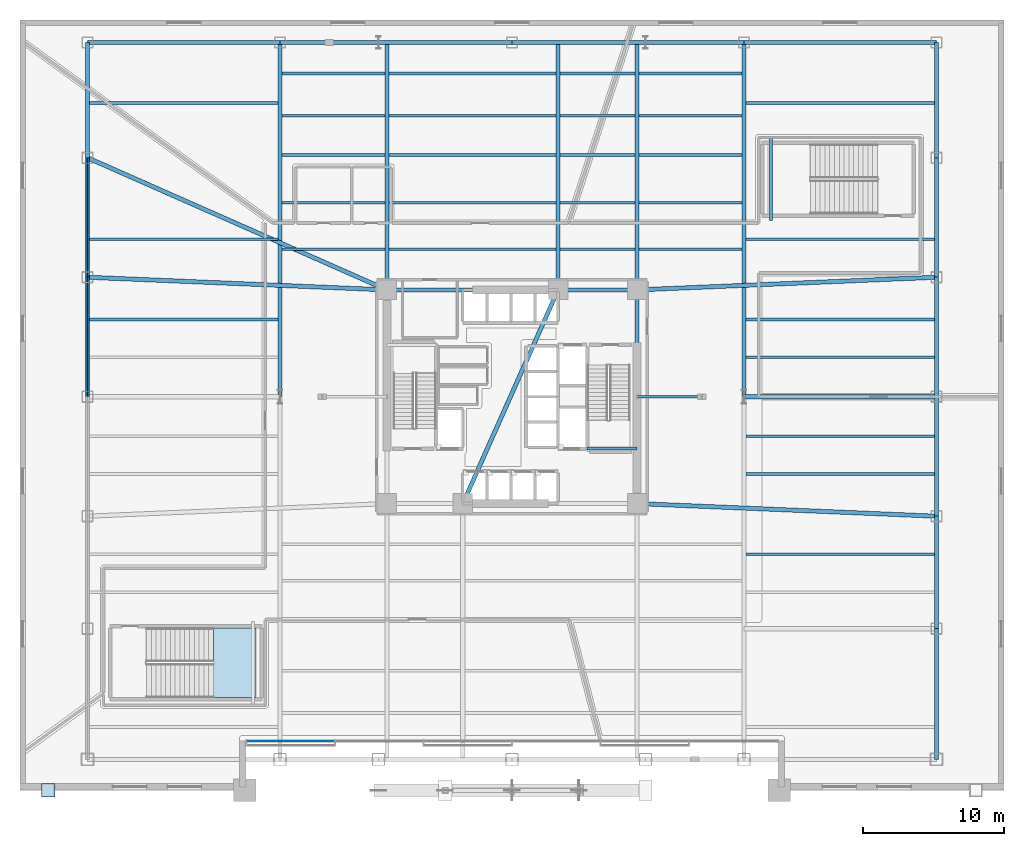
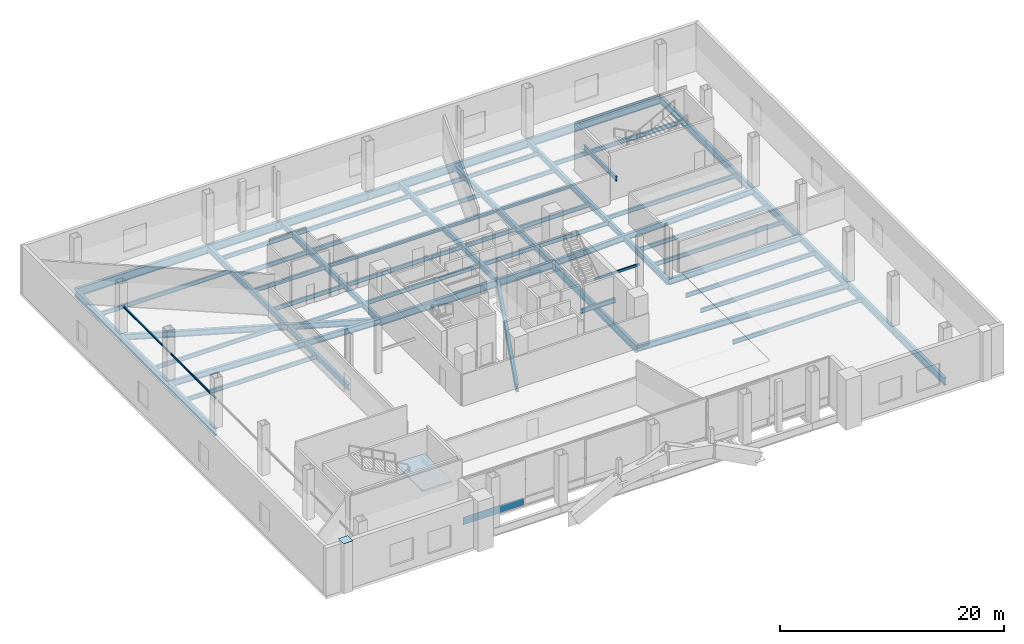
# One storey, part 5 of 19: 62 beams, 2 members, 2 plates, 1 slab, 2 elements without a shape of their own.
"""IFC4 building model written with IfcOpenShell, lengths in metres."""

from ifc_helpers import new_model, si_unit, direction, frame, origin, origin_2d, place, context, subcontext, project, spatial, polyline, rectangle, hollow_rectangle, i_section, outline, extrude, material, layer, layer_set, material_profile, profile_set, type_object, element, aggregate, save


model = new_model("IFC4")

# Units and contexts
model_context = context("Model", 3, precision=1e-05, world=origin(), true_north=direction((0.0, 1.0)))
body_context = subcontext(model_context, "Body", "Model", "MODEL_VIEW")
ifc_project = project(units=[si_unit("LENGTHUNIT", "METRE"), si_unit("AREAUNIT", "SQUARE_METRE"), si_unit("VOLUMEUNIT", "CUBIC_METRE"), si_unit("PLANEANGLEUNIT", "RADIAN"), si_unit("MASSUNIT", "GRAM", prefix="KILO")], contexts=[model_context])

# Site, building, storey
site_placement = place(None, origin())
site = spatial("IfcSite", under=ifc_project, at=site_placement, CompositionType="ELEMENT")
building_placement = place(site_placement, origin())
building = spatial("IfcBuilding", under=site, at=building_placement, Name="Tharavind Bronze Gate", CompositionType="ELEMENT")
storey_placement = place(building_placement, frame((0.0, 0.0, 11.0)))
storey = spatial("IfcBuildingStorey", under=building, at=storey_placement, Name="L02", CompositionType="ELEMENT", Elevation=11.0)

# Beams
ifc_material_1 = material(Name="Steel S355", Category="steel")
ifc_material_profile_1 = material_profile(ifc_material_1, hollow_rectangle(XDim=0.14990234375, YDim=0.25, WallThickness=0.011962890625, at=origin_2d()), Name="RHS250X150X12")
ifc_profile_set_1 = profile_set([ifc_material_profile_1], Name="Steel S355")
beam_type_1 = type_object("IfcBeamType", Name="OPENING LINTEL BEAM RHS250", PredefinedType="LINTEL", material=ifc_profile_set_1)
beam_1_placement = place(storey_placement, frame((8.89990234375, 0.0, 2.324951171875), z_axis=(1.0, 0.0, 0.0), x_axis=(0.0, 1.0, 0.0)))
element("IfcBeam", 1, at=beam_1_placement, inside=storey, type_object=beam_type_1, Name="L02 opening lintel beam rhs250 BM-L02-LNT2", PredefinedType="LINTEL", context=body_context, shape_type="SweptSolid", body=[
    extrude(hollow_rectangle(XDim=0.14990234375, YDim=0.25, WallThickness=0.011962890625, at=origin_2d()), origin(), (0.0, 0.0, 1.0), 4.60009765625),
])
ifc_material_profile_2 = material_profile(ifc_material_1, i_section(OverallWidth=0.300048828125, OverallDepth=0.64990234375, WebThickness=0.01611328125, FlangeThickness=0.031005859375, at=origin_2d()), Name="HE650B")
ifc_profile_set_2 = profile_set([ifc_material_profile_2], Name="Steel S355")
beam_type_2 = type_object("IfcBeamType", Name="PRIMARY GIRDER HE650B", PredefinedType="USERDEFINED", material=ifc_profile_set_2)
for number, where, z_axis, x_axis, name in (
    (2, (-16.5, 0.0, -0.60498046875), (0.0, 1.0, 0.0), (-1.0, 0.0, 0.0), "L02 primary girder he650b BM-L02-GS1N"),
    (3, (16.5, 0.0, -0.60498046875), (0.0, 1.0, 0.0), (-1.0, 0.0, 0.0), "L02 primary girder he650b BM-L02-GS5N"),
):
    element("IfcBeam", number, at=place(storey_placement, frame(where, z_axis=z_axis, x_axis=x_axis)), inside=storey, type_object=beam_type_2, Name=name, ObjectType="GIRDER", PredefinedType="USERDEFINED", context=body_context, shape_type="SweptSolid", body=[
        extrude(i_section(OverallWidth=0.300048828125, OverallDepth=0.64990234375, WebThickness=0.01611328125, FlangeThickness=0.031005859375, at=origin_2d()), origin(), (0.0, 0.0, 1.0), 25.199951171875),
    ])
for number, where, z_axis, x_axis, name in (
    (4, (-8.89990234375, 25.199951171875, -0.60498046875), (0.0, -1.0, 0.0), (1.0, 0.0, 0.0), "L02 primary girder he650b BM-L02-GN2"),
    (5, (3.280029296875, 25.199951171875, -0.60498046875), (0.0, -1.0, 0.0), (1.0, 0.0, 0.0), "L02 primary girder he650b BM-L02-GN3"),
    (6, (8.89990234375, 25.199951171875, -0.60498046875), (0.0, -1.0, 0.0), (1.0, 0.0, 0.0), "L02 primary girder he650b BM-L02-GN4"),
):
    element("IfcBeam", number, at=place(storey_placement, frame(where, z_axis=z_axis, x_axis=x_axis)), inside=storey, type_object=beam_type_2, Name=name, ObjectType="GIRDER", PredefinedType="USERDEFINED", context=body_context, shape_type="SweptSolid", body=[
        extrude(i_section(OverallWidth=0.300048828125, OverallDepth=0.64990234375, WebThickness=0.01611328125, FlangeThickness=0.031005859375, at=origin_2d()), origin(), (0.0, 0.0, 1.0), 17.599853515625),
    ])
beam_2_placement = place(storey_placement, frame((-30.199951171875, 8.5, -0.60498046875), z_axis=(0.999108710794, -0.04221118354, 0.0), x_axis=(0.04221118354, 0.999108710794, 0.0)))
element("IfcBeam", 7, at=beam_2_placement, inside=storey, type_object=beam_type_2, Name="L02 primary girder he650b BM-L02-GW2", ObjectType="GIRDER", PredefinedType="USERDEFINED", context=body_context, shape_type="SweptSolid", body=[
    extrude(i_section(OverallWidth=0.300048828125, OverallDepth=0.64990234375, WebThickness=0.01611328125, FlangeThickness=0.031005859375, at=origin_2d()), origin(), (0.0, 0.0, 1.0), 21.319091796875),
])
beam_3_placement = place(storey_placement, frame((-30.199951171875, 17.0, -0.60498046875), z_axis=(0.914873033852, -0.403741664844, 0.0), x_axis=(0.403741664844, 0.914873033852, 0.0)))
element("IfcBeam", 8, at=beam_3_placement, inside=storey, type_object=beam_type_2, Name="L02 primary girder he650b BM-L02-GW4", ObjectType="GIRDER", PredefinedType="USERDEFINED", context=body_context, shape_type="SweptSolid", body=[
    extrude(i_section(OverallWidth=0.300048828125, OverallDepth=0.64990234375, WebThickness=0.01611328125, FlangeThickness=0.031005859375, at=origin_2d()), origin(), (0.0, 0.0, 1.0), 23.281982421875),
])
for number, where, z_axis, x_axis, name in (
    (9, (30.199951171875, -8.5, -0.60498046875), (-0.999108710794, 0.04221118354, 0.0), (-0.04221118354, -0.999108710794, 0.0), "L02 primary girder he650b BM-L02-GE1"),
    (10, (30.199951171875, 8.5, -0.60498046875), (-0.999108710794, -0.04221118354, 0.0), (0.04221118354, -0.999108710794, 0.0), "L02 primary girder he650b BM-L02-GE2"),
):
    element("IfcBeam", number, at=place(storey_placement, frame(where, z_axis=z_axis, x_axis=x_axis)), inside=storey, type_object=beam_type_2, Name=name, ObjectType="GIRDER", PredefinedType="USERDEFINED", context=body_context, shape_type="SweptSolid", body=[
        extrude(i_section(OverallWidth=0.300048828125, OverallDepth=0.64990234375, WebThickness=0.01611328125, FlangeThickness=0.031005859375, at=origin_2d()), origin(), (0.0, 0.0, 1.0), 21.319091796875),
    ])
beam_4_placement = place(storey_placement, frame((30.199951171875, 0.0, -0.60498046875), z_axis=(-1.0, 0.0, 0.0), x_axis=(0.0, -1.0, 0.0)))
element("IfcBeam", 11, at=beam_4_placement, inside=storey, type_object=beam_type_2, Name="L02 primary girder he650b BM-L02-GE3", ObjectType="GIRDER", PredefinedType="USERDEFINED", context=body_context, shape_type="SweptSolid", body=[
    extrude(i_section(OverallWidth=0.300048828125, OverallDepth=0.64990234375, WebThickness=0.01611328125, FlangeThickness=0.031005859375, at=origin_2d()), origin(), (0.0, 0.0, 1.0), 13.699951171875),
])
ifc_material_profile_3 = material_profile(ifc_material_1, i_section(OverallWidth=0.199951171875, OverallDepth=0.5, WebThickness=0.01025390625, FlangeThickness=0.01611328125, at=origin_2d()), Name="IPE500")
ifc_profile_set_3 = profile_set([ifc_material_profile_3], Name="Steel S355")
beam_type_3 = type_object("IfcBeamType", Name="PRIMARY GIRDER IPE500", PredefinedType="USERDEFINED", material=ifc_profile_set_3)
beam_5_placement = place(storey_placement, frame((5.35009765625, -3.679931640625, 2.300048828125), z_axis=(1.0, 0.0, 0.0), x_axis=(0.0, 1.0, 0.0)))
element("IfcBeam", 12, at=beam_5_placement, inside=storey, type_object=beam_type_3, Name="L02 primary girder ipe500 BM-LD-ST2-L02-1", ObjectType="GIRDER", PredefinedType="USERDEFINED", context=body_context, shape_type="SweptSolid", body=[
    extrude(i_section(OverallWidth=0.199951171875, OverallDepth=0.5, WebThickness=0.01025390625, FlangeThickness=0.01611328125, at=origin_2d()), origin(), (0.0, 0.0, 1.0), 3.5498046875),
])
beam_6_placement = place(storey_placement, frame((18.419921875, 12.550048828125, 2.300048828125), z_axis=(0.0, 1.0, 0.0), x_axis=(-1.0, 0.0, 0.0)))
element("IfcBeam", 13, at=beam_6_placement, inside=storey, type_object=beam_type_3, Name="L02 primary girder ipe500 BM-LD-ST4-L02-1", ObjectType="GIRDER", PredefinedType="USERDEFINED", context=body_context, shape_type="SweptSolid", body=[
    extrude(i_section(OverallWidth=0.199951171875, OverallDepth=0.5, WebThickness=0.01025390625, FlangeThickness=0.01611328125, at=origin_2d()), origin(), (0.0, 0.0, 1.0), 5.849853515625),
])
ifc_material_profile_4 = material_profile(ifc_material_1, i_section(OverallWidth=0.300048828125, OverallDepth=0.800048828125, WebThickness=0.017578125, FlangeThickness=0.032958984375, at=origin_2d()), Name="HE800B")
ifc_profile_set_4 = profile_set([ifc_material_profile_4], Name="Steel S355")
beam_type_4 = type_object("IfcBeamType", Name="RING GIRDER HE800B", PredefinedType="USERDEFINED", material=ifc_profile_set_4)
beam_7_placement = place(storey_placement, frame((8.89990234375, -7.60009765625, -0.679931640625), z_axis=(0.0, 1.0, 0.0), x_axis=(-1.0, 0.0, 0.0)))
element("IfcBeam", 14, at=beam_7_placement, inside=storey, type_object=beam_type_4, Name="L02 ring girder he800b BM-L02-CR3", ObjectType="GIRDER", PredefinedType="USERDEFINED", context=body_context, shape_type="SweptSolid", body=[
    extrude(i_section(OverallWidth=0.300048828125, OverallDepth=0.800048828125, WebThickness=0.017578125, FlangeThickness=0.032958984375, at=origin_2d()), origin(), (0.0, 0.0, 1.0), 15.2001953125),
])
beam_8_placement = place(storey_placement, frame((8.89990234375, 7.60009765625, -0.679931640625), z_axis=(-1.0, 0.0, 0.0), x_axis=(0.0, -1.0, 0.0)))
element("IfcBeam", 15, at=beam_8_placement, inside=storey, type_object=beam_type_4, Name="L02 ring girder he800b BM-L02-CR4", ObjectType="GIRDER", PredefinedType="USERDEFINED", context=body_context, shape_type="SweptSolid", body=[
    extrude(i_section(OverallWidth=0.300048828125, OverallDepth=0.800048828125, WebThickness=0.017578125, FlangeThickness=0.032958984375, at=origin_2d()), origin(), (0.0, 0.0, 1.0), 5.619873046875),
])
beam_9_placement = place(storey_placement, frame((3.280029296875, 7.60009765625, -0.679931640625), z_axis=(-1.0, 0.0, 0.0), x_axis=(0.0, -1.0, 0.0)))
element("IfcBeam", 16, at=beam_9_placement, inside=storey, type_object=beam_type_4, Name="L02 ring girder he800b BM-L02-CR5", ObjectType="GIRDER", PredefinedType="USERDEFINED", context=body_context, shape_type="SweptSolid", body=[
    extrude(i_section(OverallWidth=0.300048828125, OverallDepth=0.800048828125, WebThickness=0.017578125, FlangeThickness=0.032958984375, at=origin_2d()), origin(), (0.0, 0.0, 1.0), 12.179931640625),
])
beam_10_placement = place(storey_placement, frame((-3.5, -7.60009765625, -0.679931640625), z_axis=(0.407361644566, 0.913266932795, 0.0), x_axis=(-0.913266932795, 0.407361644566, 0.0)))
element("IfcBeam", 17, at=beam_10_placement, inside=storey, type_object=beam_type_4, Name="L02 ring girder he800b BM-L02-CR7", ObjectType="GIRDER", PredefinedType="USERDEFINED", context=body_context, shape_type="SweptSolid", body=[
    extrude(i_section(OverallWidth=0.300048828125, OverallDepth=0.800048828125, WebThickness=0.017578125, FlangeThickness=0.032958984375, at=origin_2d()), origin(), (0.0, 0.0, 1.0), 16.643798828125),
])
beam_11_placement = place(storey_placement, frame((30.199951171875, -25.800048828125, -0.679931640625), z_axis=(0.0, 1.0, 0.0), x_axis=(-1.0, 0.0, 0.0)))
element("IfcBeam", 18, at=beam_11_placement, inside=storey, type_object=beam_type_4, Name="L02 ring girder he800b BM-L02-PE1", ObjectType="GIRDER", PredefinedType="USERDEFINED", context=body_context, shape_type="SweptSolid", body=[
    extrude(i_section(OverallWidth=0.300048828125, OverallDepth=0.800048828125, WebThickness=0.017578125, FlangeThickness=0.032958984375, at=origin_2d()), origin(), (0.0, 0.0, 1.0), 9.300048828125),
])
beam_12_placement = place(storey_placement, frame((30.199951171875, -16.5, -0.679931640625), z_axis=(0.0, 1.0, 0.0), x_axis=(-1.0, 0.0, 0.0)))
element("IfcBeam", 19, at=beam_12_placement, inside=storey, type_object=beam_type_4, Name="L02 ring girder he800b BM-L02-PE2", ObjectType="GIRDER", PredefinedType="USERDEFINED", context=body_context, shape_type="SweptSolid", body=[
    extrude(i_section(OverallWidth=0.300048828125, OverallDepth=0.800048828125, WebThickness=0.017578125, FlangeThickness=0.032958984375, at=origin_2d()), origin(), (0.0, 0.0, 1.0), 8.0),
])
for number, where, z_axis, x_axis, name in (
    (20, (30.199951171875, -8.5, -0.679931640625), (0.0, 1.0, 0.0), (-1.0, 0.0, 0.0), "L02 ring girder he800b BM-L02-PE3"),
    (21, (-30.199951171875, 0.0, -0.679931640625), (0.0, 1.0, 0.0), (-1.0, 0.0, 0.0), "L02 ring girder he800b BM-L02-PW4"),
    (22, (30.199951171875, 0.0, -0.679931640625), (0.0, 1.0, 0.0), (-1.0, 0.0, 0.0), "L02 ring girder he800b BM-L02-PE4"),
    (23, (-30.199951171875, 8.5, -0.679931640625), (0.0, 1.0, 0.0), (-1.0, 0.0, 0.0), "L02 ring girder he800b BM-L02-PW5"),
    (24, (30.199951171875, 8.5, -0.679931640625), (0.0, 1.0, 0.0), (-1.0, 0.0, 0.0), "L02 ring girder he800b BM-L02-PE5"),
):
    element("IfcBeam", number, at=place(storey_placement, frame(where, z_axis=z_axis, x_axis=x_axis)), inside=storey, type_object=beam_type_4, Name=name, ObjectType="GIRDER", PredefinedType="USERDEFINED", context=body_context, shape_type="SweptSolid", body=[
        extrude(i_section(OverallWidth=0.300048828125, OverallDepth=0.800048828125, WebThickness=0.017578125, FlangeThickness=0.032958984375, at=origin_2d()), origin(), (0.0, 0.0, 1.0), 8.5),
    ])
for number, where, z_axis, x_axis, name in (
    (25, (-30.199951171875, 17.0, -0.679931640625), (0.0, 1.0, 0.0), (-1.0, 0.0, 0.0), "L02 ring girder he800b BM-L02-PW6"),
    (26, (30.199951171875, 17.0, -0.679931640625), (0.0, 1.0, 0.0), (-1.0, 0.0, 0.0), "L02 ring girder he800b BM-L02-PE6"),
):
    element("IfcBeam", number, at=place(storey_placement, frame(where, z_axis=z_axis, x_axis=x_axis)), inside=storey, type_object=beam_type_4, Name=name, ObjectType="GIRDER", PredefinedType="USERDEFINED", context=body_context, shape_type="SweptSolid", body=[
        extrude(i_section(OverallWidth=0.300048828125, OverallDepth=0.800048828125, WebThickness=0.017578125, FlangeThickness=0.032958984375, at=origin_2d()), origin(), (0.0, 0.0, 1.0), 8.199951171875),
    ])
ifc_material_profile_5 = material_profile(ifc_material_1, i_section(OverallWidth=0.18994140625, OverallDepth=0.449951171875, WebThickness=0.009521484375, FlangeThickness=0.0146484375, at=origin_2d()), Name="IPE450")
ifc_profile_set_5 = profile_set([ifc_material_profile_5], Name="Steel S355")
beam_type_5 = type_object("IfcBeamType", Name="SECONDARY FLOOR JOIST IPE450", PredefinedType="JOIST", material=ifc_profile_set_5)
beam_13_placement = place(storey_placement, frame((-8.748046875, 10.5, -0.5048828125), z_axis=(1.0, 0.0, 0.0), x_axis=(0.0, 1.0, 0.0)))
element("IfcBeam", 27, at=beam_13_placement, inside=storey, type_object=beam_type_5, Name="L02 secondary floor joist ipe450 BM-L02-JSN1A", PredefinedType="JOIST", context=body_context, shape_type="SweptSolid", body=[
    extrude(i_section(OverallWidth=0.18994140625, OverallDepth=0.449951171875, WebThickness=0.009521484375, FlangeThickness=0.0146484375, at=origin_2d()), origin(), (0.0, 0.0, 1.0), 11.8759765625),
])
beam_14_placement = place(storey_placement, frame((3.431884765625, 10.5, -0.5048828125), z_axis=(1.0, 0.0, 0.0), x_axis=(0.0, 1.0, 0.0)))
element("IfcBeam", 28, at=beam_14_placement, inside=storey, type_object=beam_type_5, Name="L02 secondary floor joist ipe450 BM-L02-JSN1B", PredefinedType="JOIST", context=body_context, shape_type="SweptSolid", body=[
    extrude(i_section(OverallWidth=0.18994140625, OverallDepth=0.449951171875, WebThickness=0.009521484375, FlangeThickness=0.0146484375, at=origin_2d()), origin(), (0.0, 0.0, 1.0), 5.316162109375),
])
for number, where, z_axis, x_axis, name in (
    (29, (-16.347900390625, 10.5, -0.5048828125), (1.0, 0.0, 0.0), (0.0, 1.0, 0.0), "L02 secondary floor joist ipe450 BM-L02-JSN1W"),
    (30, (9.052001953125, 10.5, -0.5048828125), (1.0, 0.0, 0.0), (0.0, 1.0, 0.0), "L02 secondary floor joist ipe450 BM-L02-JSN1E"),
):
    element("IfcBeam", number, at=place(storey_placement, frame(where, z_axis=z_axis, x_axis=x_axis)), inside=storey, type_object=beam_type_5, Name=name, PredefinedType="JOIST", context=body_context, shape_type="SweptSolid", body=[
        extrude(i_section(OverallWidth=0.18994140625, OverallDepth=0.449951171875, WebThickness=0.009521484375, FlangeThickness=0.0146484375, at=origin_2d()), origin(), (0.0, 0.0, 1.0), 7.2958984375),
    ])
beam_15_placement = place(storey_placement, frame((-8.748046875, 13.800048828125, -0.5048828125), z_axis=(1.0, 0.0, 0.0), x_axis=(0.0, 1.0, 0.0)))
element("IfcBeam", 31, at=beam_15_placement, inside=storey, type_object=beam_type_5, Name="L02 secondary floor joist ipe450 BM-L02-JSN2A", PredefinedType="JOIST", context=body_context, shape_type="SweptSolid", body=[
    extrude(i_section(OverallWidth=0.18994140625, OverallDepth=0.449951171875, WebThickness=0.009521484375, FlangeThickness=0.0146484375, at=origin_2d()), origin(), (0.0, 0.0, 1.0), 11.8759765625),
])
beam_16_placement = place(storey_placement, frame((3.431884765625, 13.800048828125, -0.5048828125), z_axis=(1.0, 0.0, 0.0), x_axis=(0.0, 1.0, 0.0)))
element("IfcBeam", 32, at=beam_16_placement, inside=storey, type_object=beam_type_5, Name="L02 secondary floor joist ipe450 BM-L02-JSN2B", PredefinedType="JOIST", context=body_context, shape_type="SweptSolid", body=[
    extrude(i_section(OverallWidth=0.18994140625, OverallDepth=0.449951171875, WebThickness=0.009521484375, FlangeThickness=0.0146484375, at=origin_2d()), origin(), (0.0, 0.0, 1.0), 5.316162109375),
])
for number, where, z_axis, x_axis, name in (
    (33, (-16.347900390625, 13.800048828125, -0.5048828125), (1.0, 0.0, 0.0), (0.0, 1.0, 0.0), "L02 secondary floor joist ipe450 BM-L02-JSN2W"),
    (34, (9.052001953125, 13.800048828125, -0.5048828125), (1.0, 0.0, 0.0), (0.0, 1.0, 0.0), "L02 secondary floor joist ipe450 BM-L02-JSN2E"),
):
    element("IfcBeam", number, at=place(storey_placement, frame(where, z_axis=z_axis, x_axis=x_axis)), inside=storey, type_object=beam_type_5, Name=name, PredefinedType="JOIST", context=body_context, shape_type="SweptSolid", body=[
        extrude(i_section(OverallWidth=0.18994140625, OverallDepth=0.449951171875, WebThickness=0.009521484375, FlangeThickness=0.0146484375, at=origin_2d()), origin(), (0.0, 0.0, 1.0), 7.2958984375),
    ])
beam_17_placement = place(storey_placement, frame((-8.748046875, 17.199951171875, -0.5048828125), z_axis=(1.0, 0.0, 0.0), x_axis=(0.0, 1.0, 0.0)))
element("IfcBeam", 35, at=beam_17_placement, inside=storey, type_object=beam_type_5, Name="L02 secondary floor joist ipe450 BM-L02-JSN3A", PredefinedType="JOIST", context=body_context, shape_type="SweptSolid", body=[
    extrude(i_section(OverallWidth=0.18994140625, OverallDepth=0.449951171875, WebThickness=0.009521484375, FlangeThickness=0.0146484375, at=origin_2d()), origin(), (0.0, 0.0, 1.0), 11.8759765625),
])
beam_18_placement = place(storey_placement, frame((3.431884765625, 17.199951171875, -0.5048828125), z_axis=(1.0, 0.0, 0.0), x_axis=(0.0, 1.0, 0.0)))
element("IfcBeam", 36, at=beam_18_placement, inside=storey, type_object=beam_type_5, Name="L02 secondary floor joist ipe450 BM-L02-JSN3B", PredefinedType="JOIST", context=body_context, shape_type="SweptSolid", body=[
    extrude(i_section(OverallWidth=0.18994140625, OverallDepth=0.449951171875, WebThickness=0.009521484375, FlangeThickness=0.0146484375, at=origin_2d()), origin(), (0.0, 0.0, 1.0), 5.316162109375),
])
for number, where, z_axis, x_axis, name in (
    (37, (-16.347900390625, 17.199951171875, -0.5048828125), (1.0, 0.0, 0.0), (0.0, 1.0, 0.0), "L02 secondary floor joist ipe450 BM-L02-JSN3W"),
    (38, (9.052001953125, 17.199951171875, -0.5048828125), (1.0, 0.0, 0.0), (0.0, 1.0, 0.0), "L02 secondary floor joist ipe450 BM-L02-JSN3E"),
):
    element("IfcBeam", number, at=place(storey_placement, frame(where, z_axis=z_axis, x_axis=x_axis)), inside=storey, type_object=beam_type_5, Name=name, PredefinedType="JOIST", context=body_context, shape_type="SweptSolid", body=[
        extrude(i_section(OverallWidth=0.18994140625, OverallDepth=0.449951171875, WebThickness=0.009521484375, FlangeThickness=0.0146484375, at=origin_2d()), origin(), (0.0, 0.0, 1.0), 7.2958984375),
    ])
beam_19_placement = place(storey_placement, frame((-8.748046875, 20.0, -0.5048828125), z_axis=(1.0, 0.0, 0.0), x_axis=(0.0, 1.0, 0.0)))
element("IfcBeam", 39, at=beam_19_placement, inside=storey, type_object=beam_type_5, Name="L02 secondary floor joist ipe450 BM-L02-JSN4A", PredefinedType="JOIST", context=body_context, shape_type="SweptSolid", body=[
    extrude(i_section(OverallWidth=0.18994140625, OverallDepth=0.449951171875, WebThickness=0.009521484375, FlangeThickness=0.0146484375, at=origin_2d()), origin(), (0.0, 0.0, 1.0), 11.8759765625),
])
beam_20_placement = place(storey_placement, frame((3.431884765625, 20.0, -0.5048828125), z_axis=(1.0, 0.0, 0.0), x_axis=(0.0, 1.0, 0.0)))
element("IfcBeam", 40, at=beam_20_placement, inside=storey, type_object=beam_type_5, Name="L02 secondary floor joist ipe450 BM-L02-JSN4B", PredefinedType="JOIST", context=body_context, shape_type="SweptSolid", body=[
    extrude(i_section(OverallWidth=0.18994140625, OverallDepth=0.449951171875, WebThickness=0.009521484375, FlangeThickness=0.0146484375, at=origin_2d()), origin(), (0.0, 0.0, 1.0), 5.316162109375),
])
for number, where, z_axis, x_axis, name in (
    (41, (-16.347900390625, 20.0, -0.5048828125), (1.0, 0.0, 0.0), (0.0, 1.0, 0.0), "L02 secondary floor joist ipe450 BM-L02-JSN4W"),
    (42, (9.052001953125, 20.0, -0.5048828125), (1.0, 0.0, 0.0), (0.0, 1.0, 0.0), "L02 secondary floor joist ipe450 BM-L02-JSN4E"),
):
    element("IfcBeam", number, at=place(storey_placement, frame(where, z_axis=z_axis, x_axis=x_axis)), inside=storey, type_object=beam_type_5, Name=name, PredefinedType="JOIST", context=body_context, shape_type="SweptSolid", body=[
        extrude(i_section(OverallWidth=0.18994140625, OverallDepth=0.449951171875, WebThickness=0.009521484375, FlangeThickness=0.0146484375, at=origin_2d()), origin(), (0.0, 0.0, 1.0), 7.2958984375),
    ])
beam_21_placement = place(storey_placement, frame((-8.748046875, 23.0, -0.5048828125), z_axis=(1.0, 0.0, 0.0), x_axis=(0.0, 1.0, 0.0)))
element("IfcBeam", 43, at=beam_21_placement, inside=storey, type_object=beam_type_5, Name="L02 secondary floor joist ipe450 BM-L02-JSN5A", PredefinedType="JOIST", context=body_context, shape_type="SweptSolid", body=[
    extrude(i_section(OverallWidth=0.18994140625, OverallDepth=0.449951171875, WebThickness=0.009521484375, FlangeThickness=0.0146484375, at=origin_2d()), origin(), (0.0, 0.0, 1.0), 11.8759765625),
])
beam_22_placement = place(storey_placement, frame((3.431884765625, 23.0, -0.5048828125), z_axis=(1.0, 0.0, 0.0), x_axis=(0.0, 1.0, 0.0)))
element("IfcBeam", 44, at=beam_22_placement, inside=storey, type_object=beam_type_5, Name="L02 secondary floor joist ipe450 BM-L02-JSN5B", PredefinedType="JOIST", context=body_context, shape_type="SweptSolid", body=[
    extrude(i_section(OverallWidth=0.18994140625, OverallDepth=0.449951171875, WebThickness=0.009521484375, FlangeThickness=0.0146484375, at=origin_2d()), origin(), (0.0, 0.0, 1.0), 5.316162109375),
])
for number, where, z_axis, x_axis, name in (
    (45, (-16.347900390625, 23.0, -0.5048828125), (1.0, 0.0, 0.0), (0.0, 1.0, 0.0), "L02 secondary floor joist ipe450 BM-L02-JSN5W"),
    (46, (9.052001953125, 23.0, -0.5048828125), (1.0, 0.0, 0.0), (0.0, 1.0, 0.0), "L02 secondary floor joist ipe450 BM-L02-JSN5E"),
):
    element("IfcBeam", number, at=place(storey_placement, frame(where, z_axis=z_axis, x_axis=x_axis)), inside=storey, type_object=beam_type_5, Name=name, PredefinedType="JOIST", context=body_context, shape_type="SweptSolid", body=[
        extrude(i_section(OverallWidth=0.18994140625, OverallDepth=0.449951171875, WebThickness=0.009521484375, FlangeThickness=0.0146484375, at=origin_2d()), origin(), (0.0, 0.0, 1.0), 7.2958984375),
    ])
for number, where, z_axis, x_axis, name in (
    (47, (16.652099609375, -11.199951171875, -0.5048828125), (1.0, 0.0, 0.0), (0.0, 1.0, 0.0), "L02 secondary floor joist ipe450 BM-L02-JSEE3"),
    (48, (16.652099609375, -5.5, -0.5048828125), (1.0, 0.0, 0.0), (0.0, 1.0, 0.0), "L02 secondary floor joist ipe450 BM-L02-JSEE4"),
    (49, (16.652099609375, -2.800048828125, -0.5048828125), (1.0, 0.0, 0.0), (0.0, 1.0, 0.0), "L02 secondary floor joist ipe450 BM-L02-JSEE5"),
    (50, (16.652099609375, 2.800048828125, -0.5048828125), (1.0, 0.0, 0.0), (0.0, 1.0, 0.0), "L02 secondary floor joist ipe450 BM-L02-JSEE6"),
    (51, (-30.0400390625, 5.5, -0.5048828125), (1.0, 0.0, 0.0), (0.0, 1.0, 0.0), "L02 secondary floor joist ipe450 BM-L02-JSWW7"),
    (52, (16.652099609375, 5.5, -0.5048828125), (1.0, 0.0, 0.0), (0.0, 1.0, 0.0), "L02 secondary floor joist ipe450 BM-L02-JSEE7"),
    (53, (-30.0400390625, 11.199951171875, -0.5048828125), (1.0, 0.0, 0.0), (0.0, 1.0, 0.0), "L02 secondary floor joist ipe450 BM-L02-JSWW8"),
    (54, (16.652099609375, 11.199951171875, -0.5048828125), (1.0, 0.0, 0.0), (0.0, 1.0, 0.0), "L02 secondary floor joist ipe450 BM-L02-JSEE8"),
    (55, (-30.0400390625, 20.89990234375, -0.5048828125), (1.0, 0.0, 0.0), (0.0, 1.0, 0.0), "L02 secondary floor joist ipe450 BM-L02-JSWW9"),
    (56, (16.652099609375, 20.89990234375, -0.5048828125), (1.0, 0.0, 0.0), (0.0, 1.0, 0.0), "L02 secondary floor joist ipe450 BM-L02-JSEE9"),
):
    element("IfcBeam", number, at=place(storey_placement, frame(where, z_axis=z_axis, x_axis=x_axis)), inside=storey, type_object=beam_type_5, Name=name, PredefinedType="JOIST", context=body_context, shape_type="SweptSolid", body=[
        extrude(i_section(OverallWidth=0.18994140625, OverallDepth=0.449951171875, WebThickness=0.009521484375, FlangeThickness=0.0146484375, at=origin_2d()), origin(), (0.0, 0.0, 1.0), 13.387939453125),
    ])

# Members
ifc_material_2 = material(Name="Anodised Bronze Aluminium", Category="aluminium")
ifc_material_profile_6 = material_profile(ifc_material_2, i_section(OverallWidth=0.10009765625, OverallDepth=0.199951171875, WebThickness=0.005615234375, FlangeThickness=0.008544921875, at=origin_2d()), Name="IPE200")
ifc_profile_set_6 = profile_set([ifc_material_profile_6], Name="Anodised Bronze Aluminium")
member_type = type_object("IfcMemberType", Name="SOLAR LOUVRE BLADE", PredefinedType="USERDEFINED", material=ifc_profile_set_6)
for number, where, z_axis, x_axis, name in (
    (57, (-30.199951171875, 0.0, 2.949951171875), (0.0, 1.0, 0.0), (-1.0, 0.0, 0.0), "L02 west gallery solar louvre 4"),
    (58, (-30.199951171875, 8.5, 2.949951171875), (0.0, 1.0, 0.0), (-1.0, 0.0, 0.0), "L02 west gallery solar louvre 5"),
):
    element("IfcMember", number, at=place(storey_placement, frame(where, z_axis=z_axis, x_axis=x_axis)), inside=storey, type_object=member_type, Name=name, ObjectType="SOLAR LOUVRE", PredefinedType="USERDEFINED", context=body_context, shape_type="SweptSolid", body=[
        extrude(i_section(OverallWidth=0.10009765625, OverallDepth=0.199951171875, WebThickness=0.005615234375, FlangeThickness=0.008544921875, at=origin_2d()), origin(), (0.0, 0.0, 1.0), 8.5),
    ])

# Beams
ifc_material_profile_7 = material_profile(ifc_material_1, i_section(OverallWidth=0.300048828125, OverallDepth=0.89990234375, WebThickness=0.0185546875, FlangeThickness=0.034912109375, at=origin_2d()), Name="HE900B")
ifc_profile_set_7 = profile_set([ifc_material_profile_7], Name="Steel S355")
beam_type_6 = type_object("IfcBeamType", Name="SPANDREL RING BEAM HE900B", PredefinedType="SPANDREL", material=ifc_profile_set_7)
beam_23_placement = place(storey_placement, frame((-30.199951171875, 25.199951171875, -0.72998046875), z_axis=(1.0, 0.0, 0.0), x_axis=(0.0, 1.0, 0.0)))
element("IfcBeam", 59, at=beam_23_placement, inside=storey, type_object=beam_type_6, Name="L02 spandrel ring beam he900b BM-L02-PN1", PredefinedType="SPANDREL", context=body_context, shape_type="SweptSolid", body=[
    extrude(i_section(OverallWidth=0.300048828125, OverallDepth=0.89990234375, WebThickness=0.0185546875, FlangeThickness=0.034912109375, at=origin_2d()), origin(), (0.0, 0.0, 1.0), 13.699951171875),
])
beam_24_placement = place(storey_placement, frame((-16.5, 25.199951171875, -0.72998046875), z_axis=(1.0, 0.0, 0.0), x_axis=(0.0, 1.0, 0.0)))
element("IfcBeam", 60, at=beam_24_placement, inside=storey, type_object=beam_type_6, Name="L02 spandrel ring beam he900b BM-L02-PN2", PredefinedType="SPANDREL", context=body_context, shape_type="SweptSolid", body=[
    extrude(i_section(OverallWidth=0.300048828125, OverallDepth=0.89990234375, WebThickness=0.0185546875, FlangeThickness=0.034912109375, at=origin_2d()), origin(), (0.0, 0.0, 1.0), 7.0),
])
for number, where, z_axis, x_axis, name in (
    (61, (-9.5, 25.199951171875, -0.72998046875), (1.0, 0.0, 0.0), (0.0, 1.0, 0.0), "L02 spandrel ring beam he900b BM-L02-PN3"),
    (62, (0.0, 25.199951171875, -0.72998046875), (1.0, 0.0, 0.0), (0.0, 1.0, 0.0), "L02 spandrel ring beam he900b BM-L02-PN4"),
):
    element("IfcBeam", number, at=place(storey_placement, frame(where, z_axis=z_axis, x_axis=x_axis)), inside=storey, type_object=beam_type_6, Name=name, PredefinedType="SPANDREL", context=body_context, shape_type="SweptSolid", body=[
        extrude(i_section(OverallWidth=0.300048828125, OverallDepth=0.89990234375, WebThickness=0.0185546875, FlangeThickness=0.034912109375, at=origin_2d()), origin(), (0.0, 0.0, 1.0), 9.5),
    ])
beam_25_placement = place(storey_placement, frame((9.5, 25.199951171875, -0.72998046875), z_axis=(1.0, 0.0, 0.0), x_axis=(0.0, 1.0, 0.0)))
element("IfcBeam", 63, at=beam_25_placement, inside=storey, type_object=beam_type_6, Name="L02 spandrel ring beam he900b BM-L02-PN5", PredefinedType="SPANDREL", context=body_context, shape_type="SweptSolid", body=[
    extrude(i_section(OverallWidth=0.300048828125, OverallDepth=0.89990234375, WebThickness=0.0185546875, FlangeThickness=0.034912109375, at=origin_2d()), origin(), (0.0, 0.0, 1.0), 7.0),
])
beam_26_placement = place(storey_placement, frame((16.5, 25.199951171875, -0.72998046875), z_axis=(1.0, 0.0, 0.0), x_axis=(0.0, 1.0, 0.0)))
element("IfcBeam", 64, at=beam_26_placement, inside=storey, type_object=beam_type_6, Name="L02 spandrel ring beam he900b BM-L02-PN6", PredefinedType="SPANDREL", context=body_context, shape_type="SweptSolid", body=[
    extrude(i_section(OverallWidth=0.300048828125, OverallDepth=0.89990234375, WebThickness=0.0185546875, FlangeThickness=0.034912109375, at=origin_2d()), origin(), (0.0, 0.0, 1.0), 13.699951171875),
])

# Curtain wall, plate
ifc_layer_1 = layer(ifc_material_2, 0.219970703125)
ifc_layer_set_1 = layer_set([ifc_layer_1], Name="Anodised Bronze Aluminium")
curtain_wall_type = type_object("IfcCurtainWallType", Name="UNITISED CURTAIN WALL PODIUM", PredefinedType="USERDEFINED", material=ifc_layer_set_1)
curtain_wall_placement = place(storey_placement, origin())
curtain_wall = element("IfcCurtainWall", 65, at=curtain_wall_placement, inside=storey, type_object=curtain_wall_type, Name="L02 unitised curtain wall podium CW-L02-ARCH", ObjectType="UNITISED CURTAIN WALL", PredefinedType="USERDEFINED")
ifc_material_3 = material(Name="Patinated Bronze Alloy Sheet", Category="bronze")
ifc_layer_2 = layer(ifc_material_3, 0.01611328125)
ifc_layer_set_2 = layer_set([ifc_layer_2], Name="Patinated Bronze Alloy Sheet")
plate_type_1 = type_object("IfcPlateType", Name="BRONZE SPANDREL CLADDING PANEL 16", PredefinedType="CURTAIN_PANEL", material=ifc_layer_set_2)
plate_1_placement = place(storey_placement, frame((-15.75, -24.5, 0.033935546875), z_axis=(0.0, 0.0, 1.0), x_axis=(1.0, 0.0, 0.0)))
plate_1 = element("IfcPlate", 66, at=plate_1_placement, type_object=plate_type_1, Name="CW-L02-ARCH bronze spandrel panel 1", PredefinedType="CURTAIN_PANEL", context=body_context, shape_type="SweptSolid", body=[
    extrude(rectangle(XDim=6.23193359375, YDim=0.01611328125, at=origin_2d()), origin(), (0.0, 0.0, 1.0), 0.83203125),
])
aggregate(curtain_wall, [plate_1])

# Stair, slab
ifc_material_4 = material(Name="Concrete C40/50", Category="concrete")
stair_type = type_object("IfcStairType", Name="PODIUM HALF TURN STAIR 2400", PredefinedType="HALF_TURN_STAIR", material=ifc_material_4)
stair_placement = place(storey_placement, origin())
stair = element("IfcStair", 67, at=stair_placement, inside=storey, type_object=stair_type, Name="L02 Protected Exit Stair ST3", PredefinedType="HALF_TURN_STAIR")
ifc_layer_3 = layer(ifc_material_4, 0.199951171875)
ifc_layer_set_3 = layer_set([ifc_layer_3], Name="Concrete C40/50")
slab_type = type_object("IfcSlabType", Name="STAIR LANDING SLAB 200", PredefinedType="LANDING", material=ifc_layer_set_3)
slab_placement = place(storey_placement, frame((0.0, 0.0, 2.550048828125)))
slab = element("IfcSlab", 68, at=slab_placement, type_object=slab_type, Name="ST3 landing 1", PredefinedType="LANDING", context=body_context, shape_type="SweptSolid", body=[
    extrude(outline(polyline([(-21.239990234375, -21.39990234375), (-18.199951171875, -21.39990234375), (-18.199951171875, -16.449951171875), (-21.239990234375, -16.449951171875), (-21.239990234375, -21.39990234375)])), origin(), (0.0, 0.0, 1.0), 0.199951171875),
])
aggregate(stair, [slab])

# Plate
ifc_material_5 = material(Name="Steel S460", Category="steel")
ifc_layer_4 = layer(ifc_material_5, 0.02490234375)
ifc_layer_set_4 = layer_set([ifc_layer_4], Name="Steel S460")
plate_type_2 = type_object("IfcPlateType", Name="STEEL END CAP SHEET 25", PredefinedType="SHEET", material=ifc_layer_set_4)
plate_2_placement = place(storey_placement, frame((-33.0, -28.0, 5.487548828125), z_axis=(0.0, 0.0, 1.0), x_axis=(1.0, 0.0, 0.0)))
element("IfcPlate", 69, at=plate_2_placement, inside=storey, type_object=plate_type_2, Name="Steel end cap plate CAP-COL-L02-CRNS1", PredefinedType="SHEET", context=body_context, shape_type="SweptSolid", body=[
    extrude(rectangle(XDim=0.945068359375, YDim=0.945068359375, at=origin_2d()), origin(), (0.0, 0.0, 1.0), 0.02490234375),
])

save(model, "model.ifc")
